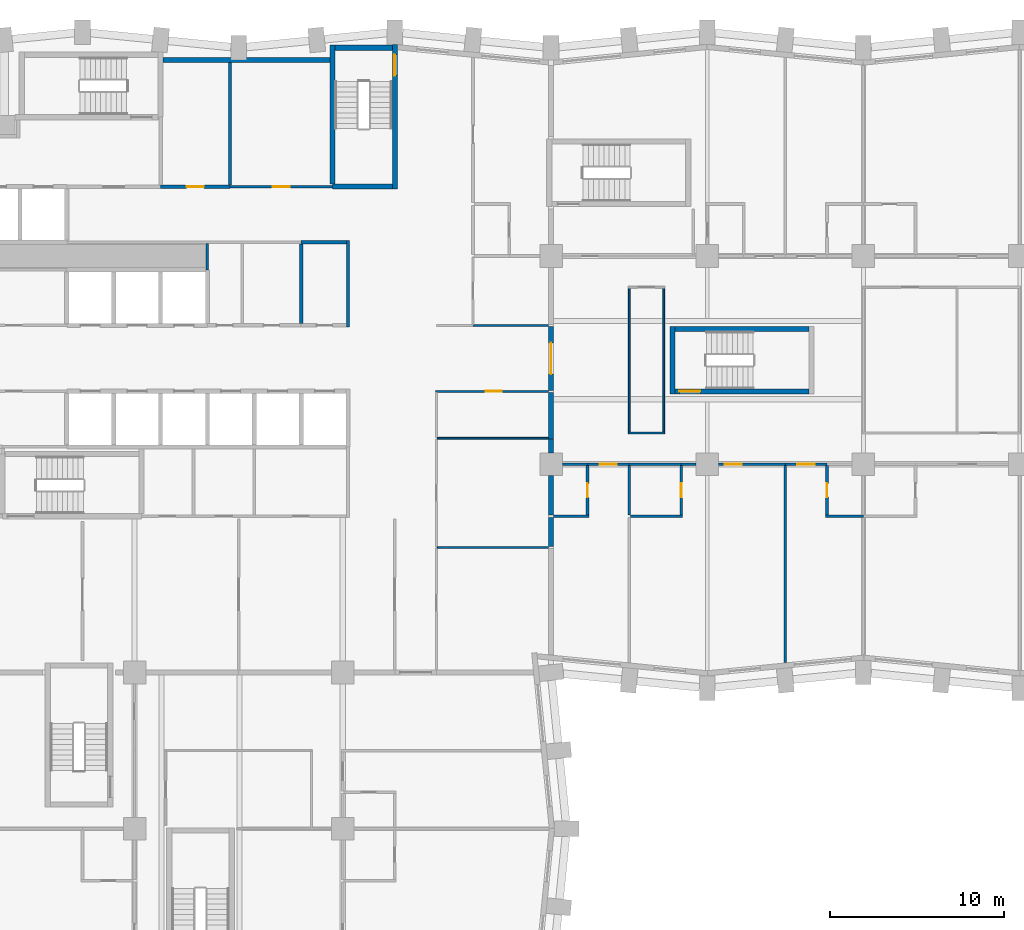
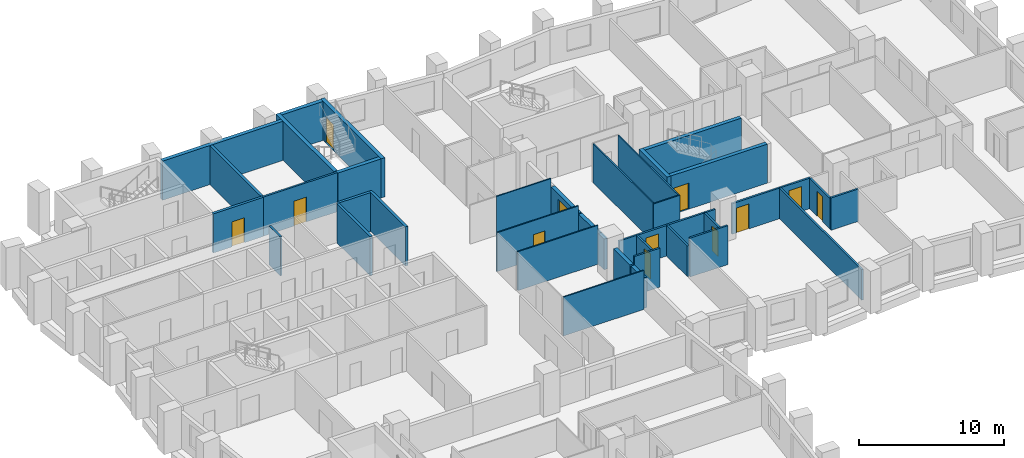
# One storey, part 7 of 12: 41 walls, 12 doors, 12 openings.
"""IFC4 building model written with IfcOpenShell, lengths in metres."""

from ifc_helpers import new_model, si_unit, direction, frame, frame_2d, origin, place, context, subcontext, project, spatial, rectangle, extrude, material, layer, layer_set, type_object, element, fill, save


model = new_model("IFC4")

# Units and contexts
model_context = context("Model", 3, precision=1e-05, world=origin(), true_north=direction((0.0, 1.0)))
body_context = subcontext(model_context, "Body", "Model", "MODEL_VIEW")
ifc_project = project(units=[si_unit("LENGTHUNIT", "METRE"), si_unit("AREAUNIT", "SQUARE_METRE"), si_unit("VOLUMEUNIT", "CUBIC_METRE"), si_unit("PLANEANGLEUNIT", "RADIAN"), si_unit("MASSUNIT", "GRAM", prefix="KILO")], contexts=[model_context])

# Site, building, storey
site_placement = place(None, origin())
site = spatial("IfcSite", under=ifc_project, at=site_placement, CompositionType="ELEMENT")
building_placement = place(site_placement, origin())
building = spatial("IfcBuilding", under=site, at=building_placement, Name="Brondeck Convention Tower", CompositionType="ELEMENT")
storey_placement = place(building_placement, frame((0.0, 0.0, 51.89990234375)))
storey = spatial("IfcBuildingStorey", under=building, at=storey_placement, Name="L10", CompositionType="ELEMENT", Elevation=51.89990234375)

# Walls
ifc_material_1 = material(Name="Concrete compartment wall C30/37", Category="concrete")
ifc_layer_1 = layer(ifc_material_1, 0.300048828125)
ifc_layer_set_1 = layer_set([ifc_layer_1], Name="Compartment wall 300")
wall_type_1 = type_object("IfcWallType", Name="Compartment wall 300", PredefinedType="PARTITIONING", material=ifc_layer_set_1)
wall_1_placement = place(storey_placement, frame((36.0, 35.925048828125, 0.0), z_axis=(0.0, 0.0, 1.0), x_axis=(0.0, -1.0, 0.0)))
element("IfcWall", 1, at=wall_1_placement, inside=storey, type_object=wall_type_1, Name="FLR-L10-W048", PredefinedType="PARTITIONING", context=body_context, shape_type="SweptSolid", body=[
    extrude(rectangle(XDim=1.675048828125, YDim=0.300048828125, at=frame_2d((0.83740234375, 0.0))), origin(), (0.0, 0.0, 1.0), 2.580078125),
])
wall_2_placement = place(storey_placement, frame((36.0, 38.344970703125, 0.0), z_axis=(0.0, 0.0, 1.0), x_axis=(0.0, -1.0, 0.0)))
element("IfcWall", 2, at=wall_2_placement, inside=storey, type_object=wall_type_1, Name="FLR-L10-W060", PredefinedType="PARTITIONING", context=body_context, shape_type="SweptSolid", body=[
    extrude(rectangle(XDim=2.27001953125, YDim=0.300048828125, at=frame_2d((1.135009765625, 0.0))), origin(), (0.0, 0.0, 1.0), 2.580078125),
])
wall_3_placement = place(storey_placement, frame((36.0, 40.449951171875, 0.0), z_axis=(0.0, 0.0, 1.0), x_axis=(0.0, -1.0, 0.0)))
element("IfcWall", 3, at=wall_3_placement, inside=storey, type_object=wall_type_1, Name="FLR-L10-W079", PredefinedType="PARTITIONING", context=body_context, shape_type="SweptSolid", body=[
    extrude(rectangle(XDim=0.794921875, YDim=0.300048828125, at=frame_2d((0.3974609375, 0.0))), origin(), (0.0, 0.0, 1.0), 2.580078125),
])
wall_4_placement = place(storey_placement, frame((36.0, 43.14990234375, 0.0), z_axis=(0.0, 0.0, 1.0), x_axis=(0.0, -1.0, 0.0)))
element("IfcWall", 4, at=wall_4_placement, inside=storey, type_object=wall_type_1, Name="FLR-L10-W086", PredefinedType="PARTITIONING", context=body_context, shape_type="SweptSolid", body=[
    extrude(rectangle(XDim=2.69482421875, YDim=0.300048828125, at=frame_2d((1.347412109375, 0.0))), origin(), (0.0, 0.0, 1.0), 2.580078125),
])

# Wall, opening, door
wall_5_placement = place(storey_placement, frame((36.0, 46.949951171875, 0.0), z_axis=(0.0, 0.0, 1.0), x_axis=(0.0, -1.0, 0.0)))
wall_5 = element("IfcWall", 5, at=wall_5_placement, inside=storey, type_object=wall_type_1, Name="FLR-L10-W090", PredefinedType="PARTITIONING", context=body_context, shape_type="SweptSolid", body=[
    extrude(rectangle(XDim=3.699951171875, YDim=0.300048828125, at=frame_2d((1.85009765625, 0.0))), origin(), (0.0, 0.0, 1.0), 2.580078125),
])
opening_1_placement = place(wall_5_placement, frame((0.949951171875, 0.0, 0.0)))
opening_1 = element("IfcOpeningElement", 6, at=opening_1_placement, cuts=wall_5, Name="Opening H2-042", PredefinedType="OPENING", context=body_context, shape_type="SweptSolid", body=[
    extrude(rectangle(XDim=1.800048828125, YDim=2.10009765625, at=frame_2d((0.89990234375, 1.050048828125))), frame((0.0, 0.159912109375, 0.0), z_axis=(0.0, -1.0, 0.0), x_axis=(1.0, 0.0, 0.0)), (0.0, 0.0, 1.0), 0.320068359375),
])
ifc_material_2 = material(Name="Steel fire door pair", Category="steel")
door_type_1 = type_object("IfcDoorType", Name="Fire door pair 1800", OperationType="DOUBLE_DOOR_SINGLE_SWING", PredefinedType="DOOR", material=ifc_material_2)
door_1_placement = place(opening_1_placement, origin())
door_1 = element("IfcDoor", 7, at=door_1_placement, inside=storey, type_object=door_type_1, Name="Door H2-042", OperationType="DOUBLE_DOOR_SINGLE_SWING", OverallHeight=2.10009765625, OverallWidth=1.800048828125, PredefinedType="DOOR", context=body_context, shape_type="SweptSolid", body=[
    extrude(rectangle(XDim=1.800048828125, YDim=2.10009765625, at=frame_2d((0.89990234375, 1.050048828125))), frame((0.0, 0.02490234375, 0.0), z_axis=(0.0, -1.0, 0.0), x_axis=(1.0, 0.0, 0.0)), (0.0, 0.0, 1.0), 0.050048828125),
])
fill(opening_1, door_1)

# Walls
ifc_material_3 = material(Name="Concrete C80/95", Category="concrete")
ifc_layer_2 = layer(ifc_material_3, 0.199951171875)
ifc_layer_set_2 = layer_set([ifc_layer_2], Name="Core beam-seat wall 200 Concrete C80/95")
wall_type_2 = type_object("IfcWallType", Name="Core beam-seat wall 200 Concrete C80/95", PredefinedType="SHEAR", material=ifc_layer_set_2)
wall_6_placement = place(storey_placement, frame((24.300048828125, 46.89990234375, 0.0), z_axis=(0.0, 0.0, 1.0), x_axis=(0.0, 1.0, 0.0)))
element("IfcWall", 8, at=wall_6_placement, inside=storey, type_object=wall_type_2, Name="L10 core wall", PredefinedType="SHEAR", context=body_context, shape_type="SweptSolid", body=[
    extrude(rectangle(XDim=5.0, YDim=0.199951171875, at=frame_2d((2.5, 0.0))), origin(), (0.0, 0.0, 1.0), 3.300048828125),
])
ifc_layer_3 = layer(ifc_material_3, 0.300048828125)
ifc_layer_set_3 = layer_set([ifc_layer_3], Name="Core outer wall 300 Concrete C80/95")
wall_type_3 = type_object("IfcWallType", Name="Core outer wall 300 Concrete C80/95", PredefinedType="SHEAR", material=ifc_layer_set_3)
wall_7_placement = place(storey_placement, frame((13.64990234375, 62.300048828125, 0.0), z_axis=(0.0, 0.0, 1.0), x_axis=(1.0, 0.0, 0.0)))
element("IfcWall", 9, at=wall_7_placement, inside=storey, type_object=wall_type_3, Name="L10 core wall", PredefinedType="SHEAR", context=body_context, shape_type="SweptSolid", body=[
    extrude(rectangle(XDim=9.60009765625, YDim=0.300048828125, at=frame_2d((4.800048828125, 0.0))), origin(), (0.0, 0.0, 1.0), 3.300048828125),
])

# Wall, opening, door
ifc_material_4 = material(Name="Fire-rated gypsum board partition")
ifc_layer_4 = layer(ifc_material_4, 0.14990234375)
ifc_layer_set_4 = layer_set([ifc_layer_4], Name="Core partition 150 EI 60")
wall_type_4 = type_object("IfcWallType", Name="Core partition 150 EI 60", PredefinedType="PARTITIONING", material=ifc_layer_set_4)
wall_8_placement = place(storey_placement, frame((17.5, 55.0, 0.0), z_axis=(0.0, 0.0, 1.0), x_axis=(1.0, 0.0, 0.0)))
wall_8 = element("IfcWall", 10, at=wall_8_placement, inside=storey, type_object=wall_type_4, Name="L10 core wall", PredefinedType="PARTITIONING", context=body_context, shape_type="SweptSolid", body=[
    extrude(rectangle(XDim=5.89990234375, YDim=0.14990234375, at=frame_2d((2.949951171875, 0.0))), origin(), (0.0, 0.0, 1.0), 3.300048828125),
])
opening_2_placement = place(wall_8_placement, frame((2.449951171875, 0.0, 0.0)))
opening_2 = element("IfcOpeningElement", 11, at=opening_2_placement, cuts=wall_8, Name="Opening C09-14", PredefinedType="OPENING", context=body_context, shape_type="SweptSolid", body=[
    extrude(rectangle(XDim=1.0, YDim=2.10009765625, at=frame_2d((0.5, 1.050048828125))), frame((0.0, 0.0849609375, 0.0), z_axis=(0.0, -1.0, 0.0), x_axis=(1.0, 0.0, 0.0)), (0.0, 0.0, 1.0), 0.169921875),
])
ifc_material_5 = material(Name="Steel fire door", Category="steel")
door_type_2 = type_object("IfcDoorType", Name="Room door 1000x2100 EI 60", OperationType="NOTDEFINED", PredefinedType="DOOR", material=ifc_material_5)
door_2_placement = place(opening_2_placement, origin())
door_2 = element("IfcDoor", 12, at=door_2_placement, inside=storey, type_object=door_type_2, Name="L10 Room door NE-2", OperationType="SINGLE_SWING_RIGHT", OverallHeight=2.10009765625, OverallWidth=1.0, PredefinedType="DOOR", context=body_context, shape_type="SweptSolid", body=[
    extrude(rectangle(XDim=1.0, YDim=2.10009765625, at=frame_2d((0.5, 1.050048828125))), frame((0.0, 0.02490234375, 0.0), z_axis=(0.0, -1.0, 0.0), x_axis=(1.0, 0.0, 0.0)), (0.0, 0.0, 1.0), 0.050048828125),
])
fill(opening_2, door_2)

# Walls
wall_9_placement = place(storey_placement, frame((16.199951171875, 50.199951171875, 0.0), z_axis=(0.0, 0.0, 1.0), x_axis=(0.0, 1.0, 0.0)))
element("IfcWall", 13, at=wall_9_placement, inside=storey, type_object=wall_type_4, Name="L10 core wall", PredefinedType="PARTITIONING", context=body_context, shape_type="SweptSolid", body=[
    extrude(rectangle(XDim=1.525146484375, YDim=0.14990234375, at=frame_2d((0.7626953125, 0.0))), origin(), (0.0, 0.0, 1.0), 3.300048828125),
])
ifc_material_6 = material(Name="Double gypsum board acoustic wall")
ifc_layer_5 = layer(ifc_material_6, 0.14990234375)
ifc_layer_set_5 = layer_set([ifc_layer_5], Name="Guest room party wall 150")
wall_type_5 = type_object("IfcWallType", Name="Guest room party wall 150", PredefinedType="PARTITIONING", material=ifc_layer_set_5)
wall_10_placement = place(storey_placement, frame((36.14990234375, 36.0, 0.0), z_axis=(0.0, 0.0, 1.0), x_axis=(1.0, 0.0, 0.0)))
element("IfcWall", 14, at=wall_10_placement, inside=storey, type_object=wall_type_5, Name="FLR-L10-W051", PredefinedType="PARTITIONING", context=body_context, shape_type="SweptSolid", body=[
    extrude(rectangle(XDim=2.025146484375, YDim=0.14990234375, at=frame_2d((1.0126953125, 0.0))), origin(), (0.0, 0.0, 1.0), 3.280029296875),
])
wall_11_placement = place(storey_placement, frame((40.574951171875, 36.0, 0.0), z_axis=(0.0, 0.0, 1.0), x_axis=(1.0, 0.0, 0.0)))
element("IfcWall", 15, at=wall_11_placement, inside=storey, type_object=wall_type_5, Name="FLR-L10-W052", PredefinedType="PARTITIONING", context=body_context, shape_type="SweptSolid", body=[
    extrude(rectangle(XDim=3.0, YDim=0.14990234375, at=frame_2d((1.5, 0.0))), origin(), (0.0, 0.0, 1.0), 3.280029296875),
])
wall_12_placement = place(storey_placement, frame((51.824951171875, 36.0, 0.0), z_axis=(0.0, 0.0, 1.0), x_axis=(1.0, 0.0, 0.0)))
element("IfcWall", 16, at=wall_12_placement, inside=storey, type_object=wall_type_5, Name="FLR-L10-W053", PredefinedType="PARTITIONING", context=body_context, shape_type="SweptSolid", body=[
    extrude(rectangle(XDim=2.175048828125, YDim=0.14990234375, at=frame_2d((1.08740234375, 0.0))), origin(), (0.0, 0.0, 1.0), 2.72998046875),
])

# Wall, opening, door
wall_13_placement = place(storey_placement, frame((38.10009765625, 36.074951171875, 0.0), z_axis=(0.0, 0.0, 1.0), x_axis=(0.0, 1.0, 0.0)))
wall_13 = element("IfcWall", 17, at=wall_13_placement, inside=storey, type_object=wall_type_5, Name="FLR-L10-W056", PredefinedType="PARTITIONING", context=body_context, shape_type="SweptSolid", body=[
    extrude(rectangle(XDim=2.85009765625, YDim=0.14990234375, at=frame_2d((1.425048828125, 0.0))), origin(), (0.0, 0.0, 1.0), 2.580078125),
])
opening_3_placement = place(wall_13_placement, frame((1.02490234375, 0.0, 0.0)))
opening_3 = element("IfcOpeningElement", 18, at=opening_3_placement, cuts=wall_13, Name="Opening H2-009", PredefinedType="OPENING", context=body_context, shape_type="SweptSolid", body=[
    extrude(rectangle(XDim=0.800048828125, YDim=2.10009765625, at=frame_2d((0.39990234375, 1.050048828125))), frame((0.0, 0.0849609375, 0.0), z_axis=(0.0, -1.0, 0.0), x_axis=(1.0, 0.0, 0.0)), (0.0, 0.0, 1.0), 0.169921875),
])
ifc_material_7 = material(Name="Solid timber door leaf", Category="wood")
door_type_3 = type_object("IfcDoorType", Name="En-suite door 800", OperationType="NOTDEFINED", PredefinedType="DOOR", material=ifc_material_7)
door_3_placement = place(opening_3_placement, origin())
door_3 = element("IfcDoor", 19, at=door_3_placement, inside=storey, type_object=door_type_3, Name="Door H2-009", OperationType="SINGLE_SWING_LEFT", OverallHeight=2.10009765625, OverallWidth=0.800048828125, PredefinedType="DOOR", context=body_context, shape_type="SweptSolid", body=[
    extrude(rectangle(XDim=0.800048828125, YDim=2.10009765625, at=frame_2d((0.39990234375, 1.050048828125))), frame((0.0, 0.02490234375, 0.0), z_axis=(0.0, -1.0, 0.0), x_axis=(1.0, 0.0, 0.0)), (0.0, 0.0, 1.0), 0.050048828125),
])
fill(opening_3, door_3)

wall_14_placement = place(storey_placement, frame((43.5, 36.074951171875, 0.0), z_axis=(0.0, 0.0, 1.0), x_axis=(0.0, 1.0, 0.0)))
wall_14 = element("IfcWall", 20, at=wall_14_placement, inside=storey, type_object=wall_type_5, Name="FLR-L10-W057", PredefinedType="PARTITIONING", context=body_context, shape_type="SweptSolid", body=[
    extrude(rectangle(XDim=2.85009765625, YDim=0.14990234375, at=frame_2d((1.425048828125, 0.0))), origin(), (0.0, 0.0, 1.0), 2.580078125),
])
opening_4_placement = place(wall_14_placement, frame((1.02490234375, 0.0, 0.0)))
opening_4 = element("IfcOpeningElement", 21, at=opening_4_placement, cuts=wall_14, Name="Opening H2-011", PredefinedType="OPENING", context=body_context, shape_type="SweptSolid", body=[
    extrude(rectangle(XDim=0.800048828125, YDim=2.10009765625, at=frame_2d((0.39990234375, 1.050048828125))), frame((0.0, 0.0849609375, 0.0), z_axis=(0.0, -1.0, 0.0), x_axis=(1.0, 0.0, 0.0)), (0.0, 0.0, 1.0), 0.169921875),
])
door_4_placement = place(opening_4_placement, origin())
door_4 = element("IfcDoor", 22, at=door_4_placement, inside=storey, type_object=door_type_3, Name="Door H2-011", OperationType="SINGLE_SWING_RIGHT", OverallHeight=2.10009765625, OverallWidth=0.800048828125, PredefinedType="DOOR", context=body_context, shape_type="SweptSolid", body=[
    extrude(rectangle(XDim=0.800048828125, YDim=2.10009765625, at=frame_2d((0.39990234375, 1.050048828125))), frame((0.0, 0.02490234375, 0.0), z_axis=(0.0, -1.0, 0.0), x_axis=(1.0, 0.0, 0.0)), (0.0, 0.0, 1.0), 0.050048828125),
])
fill(opening_4, door_4)

# Walls
wall_15_placement = place(storey_placement, frame((40.5, 38.925048828125, 0.0), z_axis=(0.0, 0.0, 1.0), x_axis=(0.0, -1.0, 0.0)))
element("IfcWall", 23, at=wall_15_placement, inside=storey, type_object=wall_type_5, Name="FLR-L10-W063", PredefinedType="PARTITIONING", context=body_context, shape_type="SweptSolid", body=[
    extrude(rectangle(XDim=2.85009765625, YDim=0.14990234375, at=frame_2d((1.425048828125, 0.0))), origin(), (0.0, 0.0, 1.0), 2.580078125),
])
wall_16_placement = place(storey_placement, frame((49.5, 38.925048828125, 0.0), z_axis=(0.0, 0.0, 1.0), x_axis=(0.0, -1.0, 0.0)))
element("IfcWall", 24, at=wall_16_placement, inside=storey, type_object=wall_type_5, Name="FLR-L10-W064", PredefinedType="PARTITIONING", context=body_context, shape_type="SweptSolid", body=[
    extrude(rectangle(XDim=11.35009765625, YDim=0.14990234375, at=frame_2d((5.675048828125, 0.0))), origin(), (0.0, 0.0, 1.0), 2.580078125),
])

# Wall, opening, door
wall_17_placement = place(storey_placement, frame((51.89990234375, 38.925048828125, 0.0), z_axis=(0.0, 0.0, 1.0), x_axis=(0.0, -1.0, 0.0)))
wall_17 = element("IfcWall", 25, at=wall_17_placement, inside=storey, type_object=wall_type_5, Name="FLR-L10-W065", PredefinedType="PARTITIONING", context=body_context, shape_type="SweptSolid", body=[
    extrude(rectangle(XDim=2.85009765625, YDim=0.14990234375, at=frame_2d((1.425048828125, 0.0))), origin(), (0.0, 0.0, 1.0), 2.580078125),
])
opening_5_placement = place(wall_17_placement, frame((1.02490234375, 0.0, 0.0)))
opening_5 = element("IfcOpeningElement", 26, at=opening_5_placement, cuts=wall_17, Name="Opening H2-013", PredefinedType="OPENING", context=body_context, shape_type="SweptSolid", body=[
    extrude(rectangle(XDim=0.800048828125, YDim=2.10009765625, at=frame_2d((0.39990234375, 1.050048828125))), frame((0.0, 0.0849609375, 0.0), z_axis=(0.0, -1.0, 0.0), x_axis=(1.0, 0.0, 0.0)), (0.0, 0.0, 1.0), 0.169921875),
])
door_5_placement = place(opening_5_placement, origin())
door_5 = element("IfcDoor", 27, at=door_5_placement, inside=storey, type_object=door_type_3, Name="Door H2-013", OperationType="SINGLE_SWING_LEFT", OverallHeight=2.10009765625, OverallWidth=0.800048828125, PredefinedType="DOOR", context=body_context, shape_type="SweptSolid", body=[
    extrude(rectangle(XDim=0.800048828125, YDim=2.10009765625, at=frame_2d((0.39990234375, 1.050048828125))), frame((0.0, 0.02490234375, 0.0), z_axis=(0.0, -1.0, 0.0), x_axis=(1.0, 0.0, 0.0)), (0.0, 0.0, 1.0), 0.050048828125),
])
fill(opening_5, door_5)

# Wall
wall_18_placement = place(storey_placement, frame((38.10009765625, 39.0, 0.0), z_axis=(0.0, 0.0, 1.0), x_axis=(-1.0, 0.0, 0.0)))
element("IfcWall", 28, at=wall_18_placement, inside=storey, type_object=wall_type_5, Name="FLR-L10-W067", PredefinedType="PARTITIONING", context=body_context, shape_type="SweptSolid", body=[
    extrude(rectangle(XDim=1.445068359375, YDim=0.14990234375, at=frame_2d((0.72265625, 0.0))), origin(), (0.0, 0.0, 1.0), 2.580078125),
])

# Wall, opening, door
wall_19_placement = place(storey_placement, frame((40.5, 39.0, 0.0), z_axis=(0.0, 0.0, 1.0), x_axis=(-1.0, 0.0, 0.0)))
wall_19 = element("IfcWall", 29, at=wall_19_placement, inside=storey, type_object=wall_type_5, Name="FLR-L10-W068", PredefinedType="PARTITIONING", context=body_context, shape_type="SweptSolid", body=[
    extrude(rectangle(XDim=2.39990234375, YDim=0.14990234375, at=frame_2d((1.199951171875, 0.0))), origin(), (0.0, 0.0, 1.0), 2.580078125),
])
opening_6_placement = place(wall_19_placement, frame((0.699951171875, 0.0, 0.0)))
opening_6 = element("IfcOpeningElement", 30, at=opening_6_placement, cuts=wall_19, Name="Opening H2-008", PredefinedType="OPENING", context=body_context, shape_type="SweptSolid", body=[
    extrude(rectangle(XDim=1.0, YDim=2.10009765625, at=frame_2d((0.5, 1.050048828125))), frame((0.0, 0.0849609375, 0.0), z_axis=(0.0, -1.0, 0.0), x_axis=(1.0, 0.0, 0.0)), (0.0, 0.0, 1.0), 0.169921875),
])
ifc_material_8 = material(Name="Solid timber fire door leaf", Category="wood")
door_type_4 = type_object("IfcDoorType", Name="Guest room door 1000", OperationType="NOTDEFINED", PredefinedType="DOOR", material=ifc_material_8)
door_6_placement = place(opening_6_placement, origin())
door_6 = element("IfcDoor", 31, at=door_6_placement, inside=storey, type_object=door_type_4, Name="Door H2-008", OperationType="SINGLE_SWING_LEFT", OverallHeight=2.10009765625, OverallWidth=1.0, PredefinedType="DOOR", context=body_context, shape_type="SweptSolid", body=[
    extrude(rectangle(XDim=1.0, YDim=2.10009765625, at=frame_2d((0.5, 1.050048828125))), frame((0.0, 0.02490234375, 0.0), z_axis=(0.0, -1.0, 0.0), x_axis=(1.0, 0.0, 0.0)), (0.0, 0.0, 1.0), 0.050048828125),
])
fill(opening_6, door_6)

# Walls
wall_20_placement = place(storey_placement, frame((43.5, 39.0, 0.0), z_axis=(0.0, 0.0, 1.0), x_axis=(-1.0, 0.0, 0.0)))
element("IfcWall", 32, at=wall_20_placement, inside=storey, type_object=wall_type_5, Name="FLR-L10-W069", PredefinedType="PARTITIONING", context=body_context, shape_type="SweptSolid", body=[
    extrude(rectangle(XDim=3.0, YDim=0.14990234375, at=frame_2d((1.5, 0.0))), origin(), (0.0, 0.0, 1.0), 2.580078125),
])
wall_21_placement = place(storey_placement, frame((44.344970703125, 39.0, 0.0), z_axis=(0.0, 0.0, 1.0), x_axis=(-1.0, 0.0, 0.0)))
element("IfcWall", 33, at=wall_21_placement, inside=storey, type_object=wall_type_5, Name="FLR-L10-W070", PredefinedType="PARTITIONING", context=body_context, shape_type="SweptSolid", body=[
    extrude(rectangle(XDim=0.844970703125, YDim=0.14990234375, at=frame_2d((0.42236328125, 0.0))), origin(), (0.0, 0.0, 1.0), 2.580078125),
])

# Wall, opening, door
wall_22_placement = place(storey_placement, frame((49.5, 39.0, 0.0), z_axis=(0.0, 0.0, 1.0), x_axis=(-1.0, 0.0, 0.0)))
wall_22 = element("IfcWall", 34, at=wall_22_placement, inside=storey, type_object=wall_type_5, Name="FLR-L10-W071", PredefinedType="PARTITIONING", context=body_context, shape_type="SweptSolid", body=[
    extrude(rectangle(XDim=3.844970703125, YDim=0.14990234375, at=frame_2d((1.92236328125, 0.0))), origin(), (0.0, 0.0, 1.0), 2.580078125),
])
opening_7_placement = place(wall_22_placement, frame((2.5, 0.0, 0.0)))
opening_7 = element("IfcOpeningElement", 35, at=opening_7_placement, cuts=wall_22, Name="Opening H2-010", PredefinedType="OPENING", context=body_context, shape_type="SweptSolid", body=[
    extrude(rectangle(XDim=1.0, YDim=2.10009765625, at=frame_2d((0.5, 1.050048828125))), frame((0.0, 0.0849609375, 0.0), z_axis=(0.0, -1.0, 0.0), x_axis=(1.0, 0.0, 0.0)), (0.0, 0.0, 1.0), 0.169921875),
])
door_7_placement = place(opening_7_placement, origin())
door_7 = element("IfcDoor", 36, at=door_7_placement, inside=storey, type_object=door_type_4, Name="Door H2-010", OperationType="SINGLE_SWING_RIGHT", OverallHeight=2.10009765625, OverallWidth=1.0, PredefinedType="DOOR", context=body_context, shape_type="SweptSolid", body=[
    extrude(rectangle(XDim=1.0, YDim=2.10009765625, at=frame_2d((0.5, 1.050048828125))), frame((0.0, 0.02490234375, 0.0), z_axis=(0.0, -1.0, 0.0), x_axis=(1.0, 0.0, 0.0)), (0.0, 0.0, 1.0), 0.050048828125),
])
fill(opening_7, door_7)

wall_23_placement = place(storey_placement, frame((51.89990234375, 39.0, 0.0), z_axis=(0.0, 0.0, 1.0), x_axis=(-1.0, 0.0, 0.0)))
wall_23 = element("IfcWall", 37, at=wall_23_placement, inside=storey, type_object=wall_type_5, Name="FLR-L10-W072", PredefinedType="PARTITIONING", context=body_context, shape_type="SweptSolid", body=[
    extrude(rectangle(XDim=2.39990234375, YDim=0.14990234375, at=frame_2d((1.199951171875, 0.0))), origin(), (0.0, 0.0, 1.0), 2.580078125),
])
opening_8_placement = place(wall_23_placement, frame((0.699951171875, 0.0, 0.0)))
opening_8 = element("IfcOpeningElement", 38, at=opening_8_placement, cuts=wall_23, Name="Opening H2-012", PredefinedType="OPENING", context=body_context, shape_type="SweptSolid", body=[
    extrude(rectangle(XDim=1.0, YDim=2.10009765625, at=frame_2d((0.5, 1.050048828125))), frame((0.0, 0.0849609375, 0.0), z_axis=(0.0, -1.0, 0.0), x_axis=(1.0, 0.0, 0.0)), (0.0, 0.0, 1.0), 0.169921875),
])
door_8_placement = place(opening_8_placement, origin())
door_8 = element("IfcDoor", 39, at=door_8_placement, inside=storey, type_object=door_type_4, Name="Door H2-012", OperationType="SINGLE_SWING_LEFT", OverallHeight=2.10009765625, OverallWidth=1.0, PredefinedType="DOOR", context=body_context, shape_type="SweptSolid", body=[
    extrude(rectangle(XDim=1.0, YDim=2.10009765625, at=frame_2d((0.5, 1.050048828125))), frame((0.0, 0.02490234375, 0.0), z_axis=(0.0, -1.0, 0.0), x_axis=(1.0, 0.0, 0.0)), (0.0, 0.0, 1.0), 0.050048828125),
])
fill(opening_8, door_8)

# Wall
ifc_layer_6 = layer(ifc_material_4, 0.199951171875)
ifc_layer_set_6 = layer_set([ifc_layer_6], Name="Riser wall 200 EI 120")
wall_type_6 = type_object("IfcWallType", Name="Riser wall 200 EI 120", PredefinedType="PARTITIONING", material=ifc_layer_set_6)
wall_24_placement = place(storey_placement, frame((21.60009765625, 51.800048828125, 0.0), z_axis=(0.0, 0.0, 1.0), x_axis=(1.0, 0.0, 0.0)))
element("IfcWall", 40, at=wall_24_placement, inside=storey, type_object=wall_type_6, Name="L10 core wall", PredefinedType="PARTITIONING", context=body_context, shape_type="SweptSolid", body=[
    extrude(rectangle(XDim=2.599853515625, YDim=0.199951171875, at=frame_2d((1.2998046875, 0.0))), origin(), (0.0, 0.0, 1.0), 3.300048828125),
])

# Wall, opening, door
wall_25_placement = place(storey_placement, frame((13.5, 55.0, 0.0), z_axis=(0.0, 0.0, 1.0), x_axis=(1.0, 0.0, 0.0)))
wall_25 = element("IfcWall", 41, at=wall_25_placement, inside=storey, type_object=wall_type_6, Name="L10 core wall", PredefinedType="PARTITIONING", context=body_context, shape_type="SweptSolid", body=[
    extrude(rectangle(XDim=4.0, YDim=0.199951171875, at=frame_2d((2.0, 0.0))), origin(), (0.0, 0.0, 1.0), 3.300048828125),
])
opening_9_placement = place(wall_25_placement, frame((1.5, 0.0, 0.0)))
opening_9 = element("IfcOpeningElement", 42, at=opening_9_placement, cuts=wall_25, Name="Opening C09-13", PredefinedType="OPENING", context=body_context, shape_type="SweptSolid", body=[
    extrude(rectangle(XDim=1.0, YDim=2.10009765625, at=frame_2d((0.5, 1.050048828125))), frame((0.0, 0.10986328125, 0.0), z_axis=(0.0, -1.0, 0.0), x_axis=(1.0, 0.0, 0.0)), (0.0, 0.0, 1.0), 0.219970703125),
])
door_type_5 = type_object("IfcDoorType", Name="Riser door 1000x2100 EI 120", OperationType="NOTDEFINED", PredefinedType="DOOR", material=ifc_material_5)
door_9_placement = place(opening_9_placement, origin())
door_9 = element("IfcDoor", 43, at=door_9_placement, inside=storey, type_object=door_type_5, Name="L10 Riser door NE-1", OperationType="SINGLE_SWING_LEFT", OverallHeight=2.10009765625, OverallWidth=1.0, PredefinedType="DOOR", context=body_context, shape_type="SweptSolid", body=[
    extrude(rectangle(XDim=1.0, YDim=2.10009765625, at=frame_2d((0.5, 1.050048828125))), frame((0.0, 0.02490234375, 0.0), z_axis=(0.0, -1.0, 0.0), x_axis=(1.0, 0.0, 0.0)), (0.0, 0.0, 1.0), 0.050048828125),
])
fill(opening_9, door_9)

# Walls
wall_26_placement = place(storey_placement, frame((17.5, 55.10009765625, 0.0), z_axis=(0.0, 0.0, 1.0), x_axis=(0.0, 1.0, 0.0)))
element("IfcWall", 44, at=wall_26_placement, inside=storey, type_object=wall_type_6, Name="L10 core wall", PredefinedType="PARTITIONING", context=body_context, shape_type="SweptSolid", body=[
    extrude(rectangle(XDim=7.0498046875, YDim=0.199951171875, at=frame_2d((3.52490234375, 0.0))), origin(), (0.0, 0.0, 1.0), 3.300048828125),
])
wall_27_placement = place(storey_placement, frame((21.60009765625, 47.10009765625, 0.0), z_axis=(0.0, 0.0, 1.0), x_axis=(0.0, 1.0, 0.0)))
element("IfcWall", 45, at=wall_27_placement, inside=storey, type_object=wall_type_6, Name="L10 core wall", PredefinedType="PARTITIONING", context=body_context, shape_type="SweptSolid", body=[
    extrude(rectangle(XDim=4.599853515625, YDim=0.199951171875, at=frame_2d((2.2998046875, 0.0))), origin(), (0.0, 0.0, 1.0), 3.300048828125),
])
ifc_material_9 = material(Name="Gypsum board partition on steel studs", Category="steel")
ifc_layer_7 = layer(ifc_material_9, 0.10009765625)
ifc_layer_set_7 = layer_set([ifc_layer_7], Name="Room partition 100")
wall_type_7 = type_object("IfcWallType", Name="Room partition 100", PredefinedType="PARTITIONING", material=ifc_layer_set_7)
for number, where, z_axis, x_axis, name in (
    (46, (35.85009765625, 34.199951171875, 0.0), (0.0, 0.0, 1.0), (-1.0, 0.0, 0.0), "FLR-L10-W045"),
    (47, (35.85009765625, 40.5, 0.0), (0.0, 0.0, 1.0), (-1.0, 0.0, 0.0), "FLR-L10-W080"),
):
    element("IfcWall", number, at=place(storey_placement, frame(where, z_axis=z_axis, x_axis=x_axis)), inside=storey, type_object=wall_type_7, Name=name, PredefinedType="PARTITIONING", context=body_context, shape_type="SweptSolid", body=[
        extrude(rectangle(XDim=6.400146484375, YDim=0.10009765625, at=frame_2d((3.2001953125, 0.0))), origin(), (0.0, 0.0, 1.0), 3.280029296875),
    ])
wall_28_placement = place(storey_placement, frame((40.449951171875, 40.800048828125, 0.0), z_axis=(0.0, 0.0, 1.0), x_axis=(1.0, 0.0, 0.0)))
element("IfcWall", 48, at=wall_28_placement, inside=storey, type_object=wall_type_7, Name="FLR-L10-W081", PredefinedType="PARTITIONING", context=body_context, shape_type="SweptSolid", body=[
    extrude(rectangle(XDim=2.10009765625, YDim=0.10009765625, at=frame_2d((1.050048828125, 0.0))), origin(), (0.0, 0.0, 1.0), 3.280029296875),
])

# Wall, opening, door
wall_29_placement = place(storey_placement, frame((35.85009765625, 43.199951171875, 0.0), z_axis=(0.0, 0.0, 1.0), x_axis=(-1.0, 0.0, 0.0)))
wall_29 = element("IfcWall", 49, at=wall_29_placement, inside=storey, type_object=wall_type_7, Name="FLR-L10-W087", PredefinedType="PARTITIONING", context=body_context, shape_type="SweptSolid", body=[
    extrude(rectangle(XDim=6.5, YDim=0.10009765625, at=frame_2d((3.25, 0.0))), origin(), (0.0, 0.0, 1.0), 3.280029296875),
])
opening_10_placement = place(wall_29_placement, frame((2.699951171875, 0.0, 0.0)))
opening_10 = element("IfcOpeningElement", 50, at=opening_10_placement, cuts=wall_29, Name="Opening H2-036", PredefinedType="OPENING", context=body_context, shape_type="SweptSolid", body=[
    extrude(rectangle(XDim=0.89990234375, YDim=2.10009765625, at=frame_2d((0.449951171875, 1.050048828125))), frame((0.0, 0.06005859375, 0.0), z_axis=(0.0, -1.0, 0.0), x_axis=(1.0, 0.0, 0.0)), (0.0, 0.0, 1.0), 0.1201171875),
])
door_type_6 = type_object("IfcDoorType", Name="Single door 900", OperationType="NOTDEFINED", PredefinedType="DOOR", material=ifc_material_7)
door_10_placement = place(opening_10_placement, origin())
door_10 = element("IfcDoor", 51, at=door_10_placement, inside=storey, type_object=door_type_6, Name="Door H2-036", OperationType="SINGLE_SWING_LEFT", OverallHeight=2.10009765625, OverallWidth=0.89990234375, PredefinedType="DOOR", context=body_context, shape_type="SweptSolid", body=[
    extrude(rectangle(XDim=0.89990234375, YDim=2.10009765625, at=frame_2d((0.449951171875, 1.050048828125))), frame((0.0, 0.02490234375, 0.0), z_axis=(0.0, -1.0, 0.0), x_axis=(1.0, 0.0, 0.0)), (0.0, 0.0, 1.0), 0.050048828125),
])
fill(opening_10, door_10)

# Walls
wall_30_placement = place(storey_placement, frame((31.5, 47.0, 0.0), z_axis=(0.0, 0.0, 1.0), x_axis=(1.0, 0.0, 0.0)))
element("IfcWall", 52, at=wall_30_placement, inside=storey, type_object=wall_type_7, Name="FLR-L10-W092", PredefinedType="PARTITIONING", context=body_context, shape_type="SweptSolid", body=[
    extrude(rectangle(XDim=4.35009765625, YDim=0.10009765625, at=frame_2d((2.175048828125, 0.0))), origin(), (0.0, 0.0, 1.0), 3.280029296875),
])
for number, where, z_axis, x_axis, name in (
    (53, (40.5, 49.14990234375, 0.0), (0.0, 0.0, 1.0), (0.0, -1.0, 0.0), "FLR-L10-W094"),
    (54, (42.5, 49.14990234375, 0.0), (0.0, 0.0, 1.0), (0.0, -1.0, 0.0), "FLR-L10-W095"),
):
    element("IfcWall", number, at=place(storey_placement, frame(where, z_axis=z_axis, x_axis=x_axis)), inside=storey, type_object=wall_type_7, Name=name, PredefinedType="PARTITIONING", context=body_context, shape_type="SweptSolid", body=[
        extrude(rectangle(XDim=8.2998046875, YDim=0.10009765625, at=frame_2d((4.14990234375, 0.0))), origin(), (0.0, 0.0, 1.0), 3.280029296875),
    ])

# Wall, opening, door
ifc_layer_8 = layer(ifc_material_3, 0.300048828125)
ifc_layer_set_8 = layer_set([ifc_layer_8], Name="Stair enclosure wall 300 Concrete C80/95")
wall_type_8 = type_object("IfcWallType", Name="Stair enclosure wall 300 Concrete C80/95", PredefinedType="SHEAR", material=ifc_layer_set_8)
wall_31_placement = place(storey_placement, frame((43.14990234375, 43.199951171875, 0.0), z_axis=(0.0, 0.0, 1.0), x_axis=(1.0, 0.0, 0.0)))
wall_31 = element("IfcWall", 55, at=wall_31_placement, inside=storey, type_object=wall_type_8, Name="L10 core wall", PredefinedType="SHEAR", context=body_context, shape_type="SweptSolid", body=[
    extrude(rectangle(XDim=7.7001953125, YDim=0.300048828125, at=frame_2d((3.85009765625, 0.0))), origin(), (0.0, 0.0, 1.0), 3.300048828125),
])
opening_11_placement = place(wall_31_placement, frame((0.25, 0.0, 0.0)))
opening_11 = element("IfcOpeningElement", 56, at=opening_11_placement, cuts=wall_31, Name="Opening C09-19", PredefinedType="OPENING", context=body_context, shape_type="SweptSolid", body=[
    extrude(rectangle(XDim=1.199951171875, YDim=2.199951171875, at=frame_2d((0.60009765625, 1.10009765625))), frame((0.0, 0.159912109375, 0.0), z_axis=(0.0, -1.0, 0.0), x_axis=(1.0, 0.0, 0.0)), (0.0, 0.0, 1.0), 0.320068359375),
])
door_type_7 = type_object("IfcDoorType", Name="Stair door 1200x2200 EI 90", OperationType="NOTDEFINED", PredefinedType="DOOR", material=ifc_material_5)
door_11_placement = place(opening_11_placement, origin())
door_11 = element("IfcDoor", 57, at=door_11_placement, inside=storey, type_object=door_type_7, Name="L10 Stair door ST-AF", OperationType="SINGLE_SWING_RIGHT", OverallHeight=2.199951171875, OverallWidth=1.199951171875, PredefinedType="DOOR", context=body_context, shape_type="SweptSolid", body=[
    extrude(rectangle(XDim=1.199951171875, YDim=2.199951171875, at=frame_2d((0.60009765625, 1.10009765625))), frame((0.0, 0.02490234375, 0.0), z_axis=(0.0, -1.0, 0.0), x_axis=(1.0, 0.0, 0.0)), (0.0, 0.0, 1.0), 0.050048828125),
])
fill(opening_11, door_11)

# Walls
wall_32_placement = place(storey_placement, frame((43.14990234375, 46.800048828125, 0.0), z_axis=(0.0, 0.0, 1.0), x_axis=(1.0, 0.0, 0.0)))
element("IfcWall", 58, at=wall_32_placement, inside=storey, type_object=wall_type_8, Name="L10 core wall", PredefinedType="SHEAR", context=body_context, shape_type="SweptSolid", body=[
    extrude(rectangle(XDim=7.7001953125, YDim=0.300048828125, at=frame_2d((3.85009765625, 0.0))), origin(), (0.0, 0.0, 1.0), 3.300048828125),
])
wall_33_placement = place(storey_placement, frame((23.39990234375, 55.0, 0.0), z_axis=(0.0, 0.0, 1.0), x_axis=(1.0, 0.0, 0.0)))
element("IfcWall", 59, at=wall_33_placement, inside=storey, type_object=wall_type_8, Name="L10 core wall", PredefinedType="SHEAR", context=body_context, shape_type="SweptSolid", body=[
    extrude(rectangle(XDim=3.4501953125, YDim=0.300048828125, at=frame_2d((1.72509765625, 0.0))), origin(), (0.0, 0.0, 1.0), 3.300048828125),
])
wall_34_placement = place(storey_placement, frame((23.550048828125, 63.0, 0.0), z_axis=(0.0, 0.0, 1.0), x_axis=(1.0, 0.0, 0.0)))
element("IfcWall", 60, at=wall_34_placement, inside=storey, type_object=wall_type_8, Name="L10 core wall", PredefinedType="SHEAR", context=body_context, shape_type="SweptSolid", body=[
    extrude(rectangle(XDim=3.300048828125, YDim=0.300048828125, at=frame_2d((1.64990234375, 0.0))), origin(), (0.0, 0.0, 1.0), 3.300048828125),
])
wall_35_placement = place(storey_placement, frame((23.39990234375, 55.14990234375, 0.0), z_axis=(0.0, 0.0, 1.0), x_axis=(0.0, 1.0, 0.0)))
element("IfcWall", 61, at=wall_35_placement, inside=storey, type_object=wall_type_8, Name="L10 core wall", PredefinedType="SHEAR", context=body_context, shape_type="SweptSolid", body=[
    extrude(rectangle(XDim=8.0, YDim=0.300048828125, at=frame_2d((4.0, 0.0))), origin(), (0.0, 0.0, 1.0), 3.300048828125),
])

# Wall, opening, door
wall_36_placement = place(storey_placement, frame((27.0, 54.85009765625, 0.0), z_axis=(0.0, 0.0, 1.0), x_axis=(0.0, 1.0, 0.0)))
wall_36 = element("IfcWall", 62, at=wall_36_placement, inside=storey, type_object=wall_type_8, Name="L10 core wall", PredefinedType="SHEAR", context=body_context, shape_type="SweptSolid", body=[
    extrude(rectangle(XDim=8.349853515625, YDim=0.300048828125, at=frame_2d((4.1748046875, 0.0))), origin(), (0.0, 0.0, 1.0), 3.300048828125),
])
opening_12_placement = place(wall_36_placement, frame((6.550048828125, 0.0, 0.0)))
opening_12 = element("IfcOpeningElement", 63, at=opening_12_placement, cuts=wall_36, Name="Opening C09-16", PredefinedType="OPENING", context=body_context, shape_type="SweptSolid", body=[
    extrude(rectangle(XDim=1.199951171875, YDim=2.199951171875, at=frame_2d((0.60009765625, 1.10009765625))), frame((0.0, 0.159912109375, 0.0), z_axis=(0.0, -1.0, 0.0), x_axis=(1.0, 0.0, 0.0)), (0.0, 0.0, 1.0), 0.320068359375),
])
door_12_placement = place(opening_12_placement, origin())
door_12 = element("IfcDoor", 64, at=door_12_placement, inside=storey, type_object=door_type_7, Name="L10 Stair door ST-2", OperationType="SINGLE_SWING_LEFT", OverallHeight=2.199951171875, OverallWidth=1.199951171875, PredefinedType="DOOR", context=body_context, shape_type="SweptSolid", body=[
    extrude(rectangle(XDim=1.199951171875, YDim=2.199951171875, at=frame_2d((0.60009765625, 1.10009765625))), frame((0.0, 0.02490234375, 0.0), z_axis=(0.0, -1.0, 0.0), x_axis=(1.0, 0.0, 0.0)), (0.0, 0.0, 1.0), 0.050048828125),
])
fill(opening_12, door_12)

# Wall
wall_37_placement = place(storey_placement, frame((43.0, 43.050048828125, 0.0), z_axis=(0.0, 0.0, 1.0), x_axis=(0.0, 1.0, 0.0)))
element("IfcWall", 65, at=wall_37_placement, inside=storey, type_object=wall_type_8, Name="L10 core wall", PredefinedType="SHEAR", context=body_context, shape_type="SweptSolid", body=[
    extrude(rectangle(XDim=3.89990234375, YDim=0.300048828125, at=frame_2d((1.949951171875, 0.0))), origin(), (0.0, 0.0, 1.0), 3.300048828125),
])

save(model, "model.ifc")
